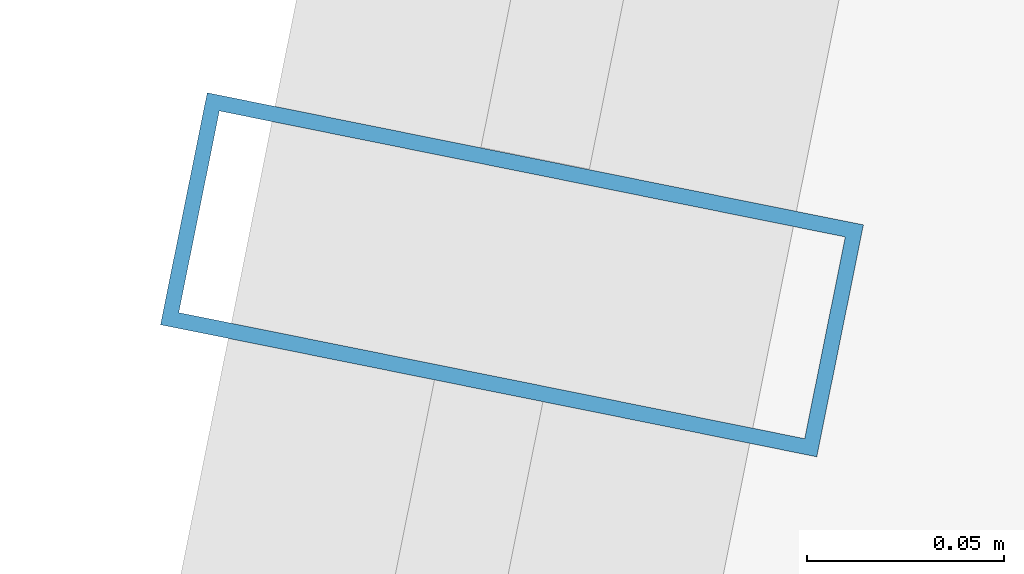
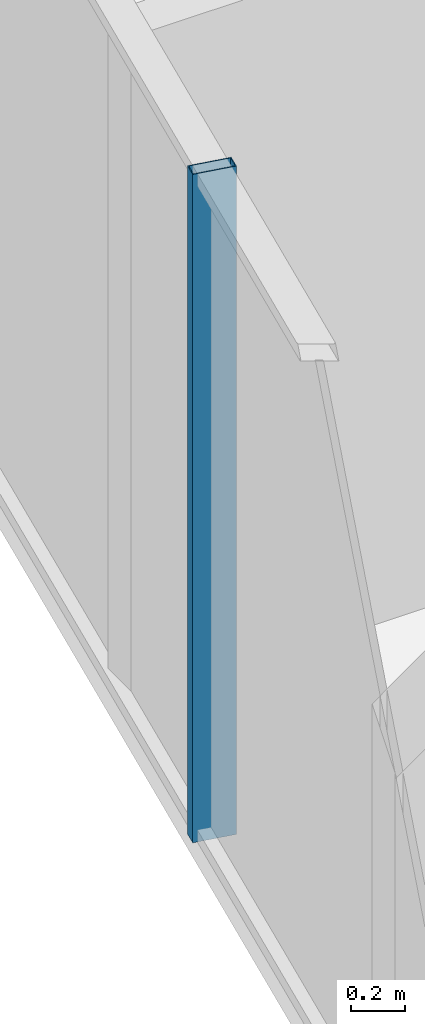
# One storey, part 13 of 32: 1 member, 1 element without a shape of its own.
"""IFC4 building model written with IfcOpenShell, lengths in metres."""

from ifc_helpers import new_model, si_unit, direction, frame, origin, origin_2d, place, context, subcontext, project, spatial, hollow_rectangle, extrude, source, transform, mapped, material, layer, layer_set, material_profile, profile_set, type_object, element, aggregate, save


model = new_model("IFC4")

# Units and contexts
model_context = context("Model", 3, precision=1e-05, world=origin(), true_north=direction((0.0, 1.0)))
body_context = subcontext(model_context, "Body", "Model", "MODEL_VIEW")
ifc_project = project(units=[si_unit("LENGTHUNIT", "METRE"), si_unit("AREAUNIT", "SQUARE_METRE"), si_unit("VOLUMEUNIT", "CUBIC_METRE"), si_unit("PLANEANGLEUNIT", "RADIAN"), si_unit("MASSUNIT", "GRAM", prefix="KILO")], contexts=[model_context])

# Site, building, storey
site_placement = place(None, origin())
site = spatial("IfcSite", under=ifc_project, at=site_placement, CompositionType="ELEMENT")
building_placement = place(site_placement, origin())
building = spatial("IfcBuilding", under=site, at=building_placement, Name="Veraguas Prism Commons", CompositionType="ELEMENT")
storey_placement = place(building_placement, frame((0.0, 0.0, 89.449951171875)))
storey = spatial("IfcBuildingStorey", under=building, at=storey_placement, Name="L24", CompositionType="ELEMENT", Elevation=89.449951171875)

# Curtain wall, member
ifc_material = material(Name="Anodised aluminium EN AW-6063 T6", Category="aluminium")
ifc_layer = layer(ifc_material, 0.169921875, Name="Unitised Flush Curtain Wall Zone 2", Category="aluminium")
ifc_layer_set = layer_set([ifc_layer], Name="Anodised aluminium EN AW-6063 T6")
curtain_wall_type = type_object("IfcCurtainWallType", Name="Unitised Flush Curtain Wall Zone 2", PredefinedType="NOTDEFINED", material=ifc_layer_set)
curtain_wall_placement = place(storey_placement, origin())
curtain_wall = element("IfcCurtainWall", 1, at=curtain_wall_placement, inside=storey, type_object=curtain_wall_type, Name="Tower Facade Curtain Wall L24-F3", PredefinedType="NOTDEFINED")
ifc_material_profile = material_profile(ifc_material, hollow_rectangle(XDim=0.06005859375, YDim=0.169921875, WallThickness=0.00390625, at=origin_2d()), Name="AL60X170X4")
ifc_profile_set = profile_set([ifc_material_profile], Name="Anodised aluminium EN AW-6063 T6")
member_type = type_object("IfcMemberType", Name="Curtain Wall Mullion Lower AL 60x170x4", PredefinedType="MULLION", material=ifc_profile_set)
shared_shape = source(origin(), body_context, "Body", "SweptSolid", [
    extrude(hollow_rectangle(XDim=0.06005859375, YDim=0.169921875, WallThickness=0.00390625, at=origin_2d()), origin(), (0.0, 0.0, 1.0), 3.0),
])
member_placement = place(storey_placement, frame((5.194580078125, 27.784912109375, 0.0), z_axis=(0.0, 0.0, 1.0), x_axis=(-0.197320282199, -0.980339077173, 0.0)))
member = element("IfcMember", 2, at=member_placement, type_object=member_type, Name="CW-Z2 Mullion 3", PredefinedType="MULLION", context=body_context, shape_type="MappedRepresentation", body=[
    mapped(shared_shape, transform((0.0, 0.0, 0.0), scale=1.0)),
])
aggregate(curtain_wall, [member])

save(model, "model.ifc")
